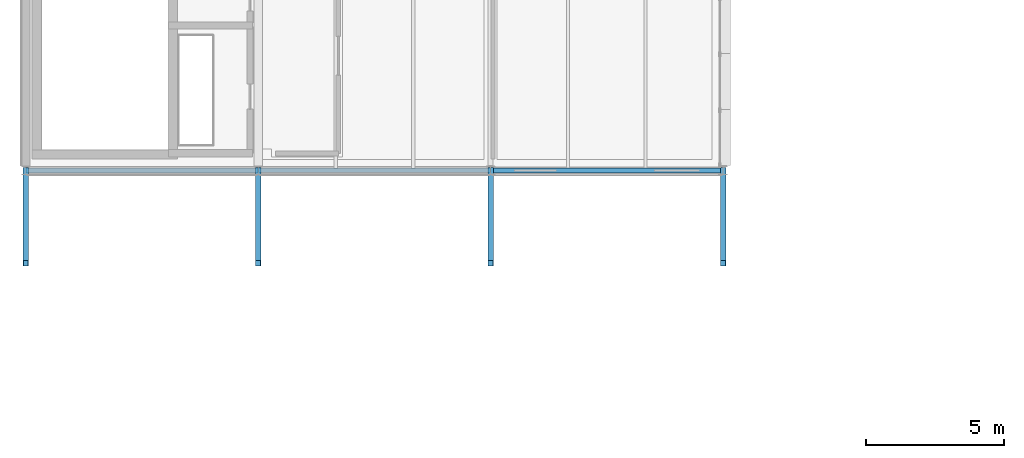
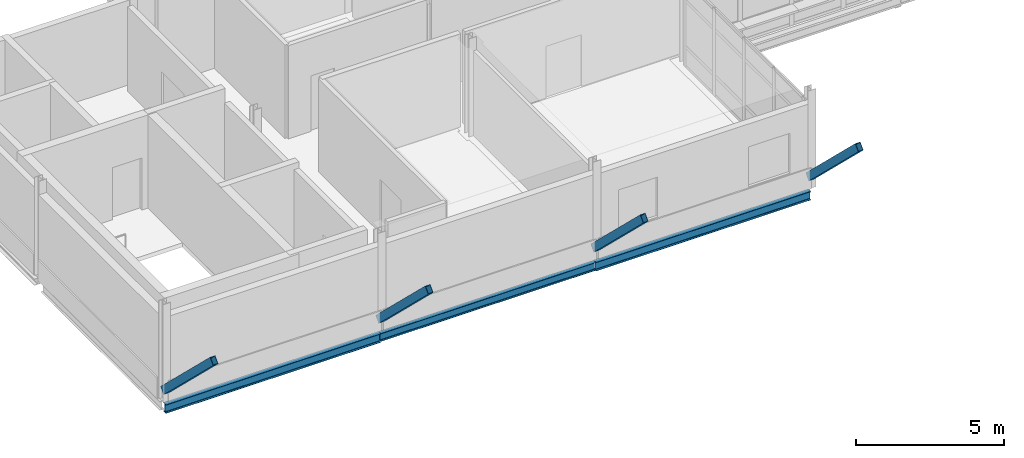
# One storey, part 8 of 57: 4 members, 3 beams.
"""IFC4 building model written with IfcOpenShell, lengths in metres."""

import ifcopenshell
import ifcopenshell.guid

model = None  # the IFC model being written
_history = None  # IfcOwnerHistory: only IFC2X3 demands one
_inside = {}  # id of a spatial element -> (the spatial element, [elements in it])
_under = {}  # id of a project, library or spatial element -> (it, [spatial elements below it])
_declared = {}  # id of a project -> (the project, [libraries it declares])
_typed = {}  # id of a type object -> (the type object, [elements of that type])
_made_of = {}  # id of a material, layer set ... -> (it, [elements and type objects made of it])


def new_model(schema):
    """Start an empty IFC model of exactly this schema.

    Asked for "IFC4X3", IfcOpenShell would pick the latest addendum, in which some entities
    have other attributes; the version numbers below select the first issue.
    IFC2X3 requires an IfcOwnerHistory on every rooted entity: one is made here for all.
    """
    global model, _history
    if schema == "IFC4X3":
        model = ifcopenshell.file(schema_version=(4, 3, 0, 0))
    else:
        model = ifcopenshell.file(schema=schema)
    _inside.clear()
    _under.clear()
    _declared.clear()
    _typed.clear()
    _made_of.clear()
    _history = None
    if model.schema == "IFC2X3":
        org = make("IfcOrganization", Name="unknown")
        user = make(
            "IfcPersonAndOrganization",
            ThePerson=make("IfcPerson", FamilyName="unknown"),
            TheOrganization=org,
        )
        app = make(
            "IfcApplication",
            ApplicationDeveloper=org,
            Version="unknown",
            ApplicationFullName="unknown",
            ApplicationIdentifier="unknown",
        )
        _history = make(
            "IfcOwnerHistory",
            OwningUser=user,
            OwningApplication=app,
            ChangeAction="ADDED",
            CreationDate=0,
        )
    return model


def make(cls, **values):
    """One entity of the class cls with the attributes given. An attribute that is None is left unset."""
    return model.create_entity(
        cls, **{name: value for name, value in values.items() if value is not None}
    )


def rooted(cls, **values):
    """An entity with a GlobalId (a new one), such as an element, a storey or a relation."""
    return make(cls, GlobalId=ifcopenshell.guid.new(), OwnerHistory=_history, **values)


def si_unit(unit_type, name, prefix=None):
    """IfcSIUnit, for example si_unit("LENGTHUNIT", "METRE", prefix="MILLI")."""
    return make("IfcSIUnit", UnitType=unit_type, Prefix=prefix, Name=name)


def assignment(units):
    """IfcUnitAssignment: the units of a project."""
    return None if units is None else make("IfcUnitAssignment", Units=units)


def point(xyz):
    """IfcCartesianPoint."""
    return None if xyz is None else make("IfcCartesianPoint", Coordinates=xyz)


def direction(xyz):
    """IfcDirection."""
    return None if xyz is None else make("IfcDirection", DirectionRatios=xyz)


def frame(location, z_axis=None, x_axis=None):
    """IfcAxis2Placement3D, a coordinate frame: its origin and axes. An axis left out is left unset."""
    return make(
        "IfcAxis2Placement3D",
        Location=point(location),
        Axis=direction(z_axis),
        RefDirection=direction(x_axis),
    )


def frame_2d(location, x_axis=None):
    """IfcAxis2Placement2D, a coordinate frame in the plane: its origin and x axis."""
    return make(
        "IfcAxis2Placement2D", Location=point(location), RefDirection=direction(x_axis)
    )


def origin():
    """The frame at (0, 0, 0) with its axes left unset."""
    return frame((0.0, 0.0, 0.0))


def origin_2d():
    """The frame at (0, 0) in the plane with its x axis left unset."""
    return frame_2d((0.0, 0.0))


def place(relative_to, where):
    """IfcLocalPlacement: puts the frame where relative to a parent placement (None: the world)."""
    return make(
        "IfcLocalPlacement", PlacementRelTo=relative_to, RelativePlacement=where
    )


def context(
    kind, dimensions, precision=None, world=None, true_north=None, identifier=None
):
    """IfcGeometricRepresentationContext, for example the 3D "Model" context."""
    return make(
        "IfcGeometricRepresentationContext",
        ContextIdentifier=identifier,
        ContextType=kind,
        CoordinateSpaceDimension=dimensions,
        Precision=precision,
        WorldCoordinateSystem=world,
        TrueNorth=true_north,
    )


def subcontext(parent, identifier, kind, view, scale=None):
    """IfcGeometricRepresentationSubContext, for example "Body" below "Model"."""
    return make(
        "IfcGeometricRepresentationSubContext",
        ContextIdentifier=identifier,
        ContextType=kind,
        ParentContext=parent,
        TargetScale=scale,
        TargetView=view,
    )


def project(units=None, contexts=None):
    """IfcProject with its units and contexts."""
    return rooted(
        "IfcProject",
        Name="project",
        RepresentationContexts=contexts,
        UnitsInContext=assignment(units),
    )


def spatial(cls, under=None, at=None, **own):
    """A site, building, storey or space (cls), placed at a placement, below another one or the project."""
    s = rooted(cls, ObjectPlacement=at, **own)
    if under is not None:
        _under.setdefault(under.id(), (under, []))[1].append(s)
    return s


def profile(cls, at=None, kind="AREA", **sizes):
    """A parametric profile (cls). Its sizes go by their IFC names, for example OverallWidth=200.0."""
    return make(cls, ProfileType=kind, Position=at, **sizes)


def hollow_rectangle(**sizes):
    """IfcRectangleHollowProfileDef."""
    return profile("IfcRectangleHollowProfileDef", **sizes)


def i_section(**sizes):
    """IfcIShapeProfileDef."""
    return profile("IfcIShapeProfileDef", **sizes)


def extrude(swept, where, along, depth):
    """IfcExtrudedAreaSolid: the profile swept, set in the frame where, extruded along a direction by depth."""
    return make(
        "IfcExtrudedAreaSolid",
        SweptArea=swept,
        Position=where,
        ExtrudedDirection=direction(along),
        Depth=depth,
    )


def shape(context_of_items, identifier, shape_type, items):
    """IfcShapeRepresentation: the items that make up one representation, for example the "Body"."""
    return make(
        "IfcShapeRepresentation",
        ContextOfItems=context_of_items,
        RepresentationIdentifier=identifier,
        RepresentationType=shape_type,
        Items=items,
    )


def material(Name=None, Category=None):
    """IfcMaterial."""
    return make("IfcMaterial", Name=Name, Category=Category)


def material_profile(
    of_material, cross_section, Name=None, Category=None, Priority=None
):
    """IfcMaterialProfile: a cross section and its material."""
    return make(
        "IfcMaterialProfile",
        Name=Name,
        Material=of_material,
        Profile=cross_section,
        Priority=Priority,
        Category=Category,
    )


def profile_set(profiles, Name=None, composite=None):
    """IfcMaterialProfileSet."""
    return make(
        "IfcMaterialProfileSet",
        Name=Name,
        MaterialProfiles=profiles,
        CompositeProfile=composite,
    )


def made_of(thing, what):
    """Note that an element or type object is made of a material, layer set ...; save() writes the relation."""
    if what is not None:
        _made_of.setdefault(what.id(), (what, []))[1].append(thing)
    return thing


def type_object(cls, material=None, **own):
    """A type object (cls), such as IfcWallType, which elements share."""
    return made_of(rooted(cls, **own), material)


def element(
    cls,
    number,
    at=None,
    inside=None,
    cuts=None,
    type_object=None,
    material=None,
    context=None,
    identifier="Body",
    shape_type=None,
    held_by="IfcProductDefinitionShape",
    body=None,
    shapes=None,
    **own,
):
    """One element of the class cls, such as IfcWall. Its Tag is "e" and its number.

    at: its placement. inside: the storey or other place that contains it. cuts: it is an
    opening in that element (IfcRelVoidsElement). A single representation is given by context,
    identifier, shape_type and body (its items); several are given by shapes. held_by: the class
    of the entity that holds the representations. save() writes the other relations.
    """
    e = rooted(cls, Tag="e%d" % number, ObjectPlacement=at, **own)
    if body is not None:
        shapes = [shape(context, identifier, shape_type, body)]
    if shapes is not None:
        e.Representation = make(held_by, Representations=shapes)
    if inside is not None:
        _inside.setdefault(inside.id(), (inside, []))[1].append(e)
    if cuts is not None:
        rooted(
            "IfcRelVoidsElement", RelatingBuildingElement=cuts, RelatedOpeningElement=e
        )
    if type_object is not None:
        _typed.setdefault(type_object.id(), (type_object, []))[1].append(e)
    return made_of(e, material)


def aggregate(whole, parts):
    """IfcRelAggregates: a whole, such as a stair, and the parts it consists of."""
    return rooted("IfcRelAggregates", RelatingObject=whole, RelatedObjects=parts)


def save(model, path):
    """Write the relations noted so far, then the file.

    IfcRelAggregates (storeys below a building ...), IfcRelContainedInSpatialStructure (elements
    in a storey), IfcRelDefinesByType, IfcRelAssociatesMaterial and IfcRelDeclares: one each for
    every whole, place, type object, material and project.
    """
    for whole, parts in _under.values():
        aggregate(whole, parts)
    for where, things in _inside.values():
        rooted(
            "IfcRelContainedInSpatialStructure",
            RelatedElements=things,
            RelatingStructure=where,
        )
    for kind, things in _typed.values():
        rooted("IfcRelDefinesByType", RelatedObjects=things, RelatingType=kind)
    for what, things in _made_of.values():
        rooted("IfcRelAssociatesMaterial", RelatedObjects=things, RelatingMaterial=what)
    for by, libraries in _declared.values():
        rooted("IfcRelDeclares", RelatingContext=by, RelatedDefinitions=libraries)
    model.write(path)


model = new_model("IFC4")

# Units and contexts
model_context = context("Model", 3, precision=1e-05, world=origin(), true_north=direction((0.0, 1.0)))
body_context = subcontext(model_context, "Body", "Model", "MODEL_VIEW")
ifc_project = project(units=[si_unit("LENGTHUNIT", "METRE"), si_unit("AREAUNIT", "SQUARE_METRE"), si_unit("VOLUMEUNIT", "CUBIC_METRE"), si_unit("PLANEANGLEUNIT", "RADIAN"), si_unit("MASSUNIT", "GRAM", prefix="KILO")], contexts=[model_context])

# Site, building, storey
site_placement = place(None, origin())
site = spatial("IfcSite", under=ifc_project, at=site_placement, CompositionType="ELEMENT")
building_placement = place(site_placement, origin())
building = spatial("IfcBuilding", under=site, at=building_placement, Name="Mersafa Astral City Hall", CompositionType="ELEMENT")
storey_placement = place(building_placement, frame((0.0, 0.0, 26.10009765625)))
storey = spatial("IfcBuildingStorey", under=building, at=storey_placement, Name="L06", CompositionType="ELEMENT", Elevation=26.10009765625)

# Beams
ifc_material = material(Name="Steel S355", Category="steel")
ifc_material_profile_1 = material_profile(ifc_material, i_section(OverallWidth=0.159912109375, OverallDepth=0.330078125, WebThickness=0.007568359375, FlangeThickness=0.011474609375, FilletRadius=0.01806640625, at=origin_2d()), Name="IPE 330")
ifc_profile_set_1 = profile_set([ifc_material_profile_1], Name="Steel S355")
beam_type_1 = type_object("IfcBeamType", Name="STR-BM-SPANDREL-IPE330", PredefinedType="SPANDREL", material=ifc_profile_set_1)
beam_placement = place(storey_placement, frame((50.403076171875, 109.199951171875, -0.340087890625), z_axis=(1.0, 0.0, 0.0), x_axis=(0.0, 1.0, 0.0)))
element("IfcBeam", 1, at=beam_placement, inside=storey, type_object=beam_type_1, Name="L06 Primary girder X 6-13", PredefinedType="SPANDREL", context=body_context, shape_type="SweptSolid", body=[
    extrude(i_section(OverallWidth=0.159912109375, OverallDepth=0.330078125, WebThickness=0.007568359375, FlangeThickness=0.011474609375, FilletRadius=0.01806640625, at=origin_2d()), origin(), (0.0, 0.0, 1.0), 8.39404296875),
])
ifc_material_profile_2 = material_profile(ifc_material, i_section(OverallWidth=0.169921875, OverallDepth=0.360107421875, WebThickness=0.008056640625, FlangeThickness=0.0126953125, FilletRadius=0.01806640625, at=origin_2d()), Name="IPE 360")
ifc_profile_set_2 = profile_set([ifc_material_profile_2], Name="Steel S355")
beam_type_2 = type_object("IfcBeamType", Name="STR-BM-SPANDREL-IPE360", PredefinedType="SPANDREL", material=ifc_profile_set_2)
for number, where, z_axis, x_axis, name in (
    (2, (42.0029296875, 109.199951171875, -0.35498046875), (1.0, 0.0, 0.0), (0.0, 1.0, 0.0), "L06 Primary girder X 5-13"),
    (3, (58.802978515625, 109.199951171875, -0.35498046875), (1.0, 0.0, 0.0), (0.0, 1.0, 0.0), "L06 Primary girder X 7-13"),
):
    element("IfcBeam", number, at=place(storey_placement, frame(where, z_axis=z_axis, x_axis=x_axis)), inside=storey, type_object=beam_type_2, Name=name, PredefinedType="SPANDREL", context=body_context, shape_type="SweptSolid", body=[
        extrude(i_section(OverallWidth=0.169921875, OverallDepth=0.360107421875, WebThickness=0.008056640625, FlangeThickness=0.0126953125, FilletRadius=0.01806640625, at=origin_2d()), origin(), (0.0, 0.0, 1.0), 8.39404296875),
    ])

# Members
ifc_material_profile_3 = material_profile(ifc_material, hollow_rectangle(XDim=0.199951171875, YDim=0.300048828125, WallThickness=0.012451171875, at=origin_2d()), Name="RHS 200x300x12.5")
ifc_profile_set_3 = profile_set([ifc_material_profile_3], Name="Steel S355")
member_type = type_object("IfcMemberType", Name="STR-MBR-STRUT-RHS200X300", PredefinedType="BRACE", material=ifc_profile_set_3)
for number, where, z_axis, x_axis, name in (
    (4, (42.0, 109.199951171875, 0.39990234375), (0.0, -0.718795502172, 0.695221566163), (1.0, 0.0, 0.0), "L06 Raked cosmic eave strut ROOF-T5-V4N S-5"),
    (5, (50.39990234375, 109.199951171875, 0.39990234375), (0.0, -0.718795502172, 0.695221566163), (1.0, 0.0, 0.0), "L06 Raked cosmic eave strut ROOF-T5-V4N S-6"),
    (6, (58.800048828125, 109.199951171875, 0.39990234375), (0.0, -0.718795502172, 0.695221566163), (1.0, 0.0, 0.0), "L06 Raked cosmic eave strut ROOF-T5-V4N S-7"),
    (7, (67.199951171875, 109.199951171875, 0.39990234375), (0.0, -0.718795502172, 0.695221566163), (1.0, 0.0, 0.0), "L06 Raked cosmic eave strut ROOF-T5-V4N S-8"),
):
    element("IfcMember", number, at=place(storey_placement, frame(where, z_axis=z_axis, x_axis=x_axis)), inside=storey, type_object=member_type, Name=name, PredefinedType="BRACE", context=body_context, shape_type="SweptSolid", body=[
        extrude(hollow_rectangle(XDim=0.199951171875, YDim=0.300048828125, WallThickness=0.012451171875, at=origin_2d()), origin(), (0.0, 0.0, 1.0), 4.660400390625),
    ])

save(model, "model.ifc")
